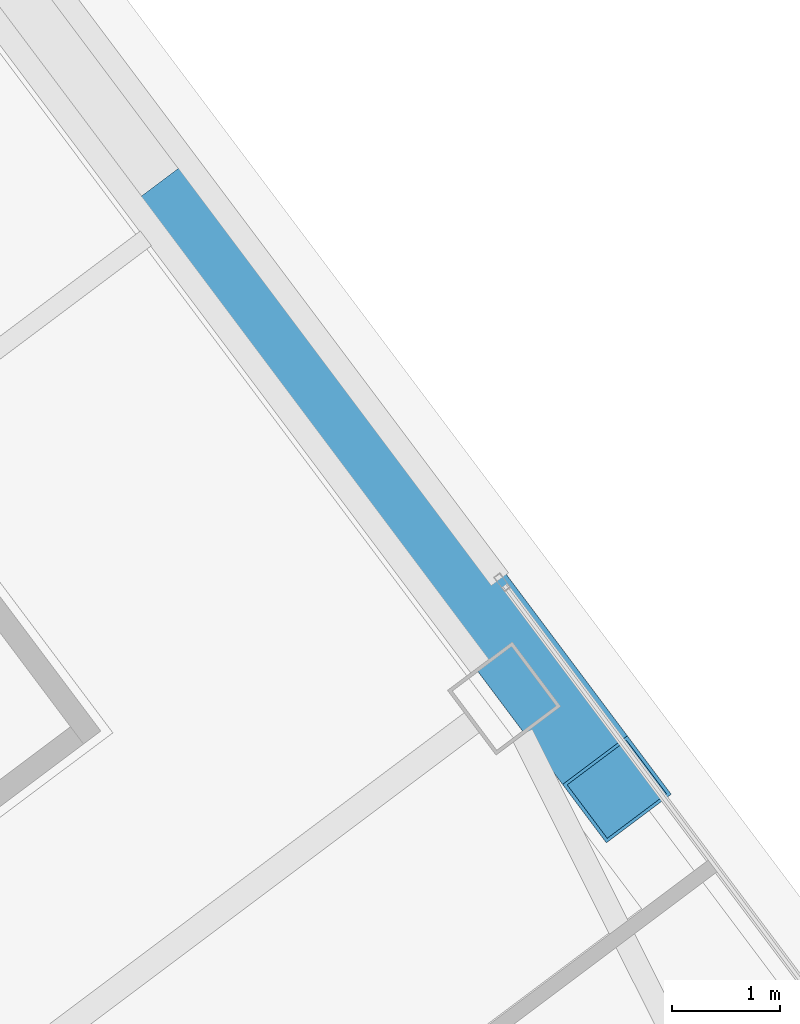
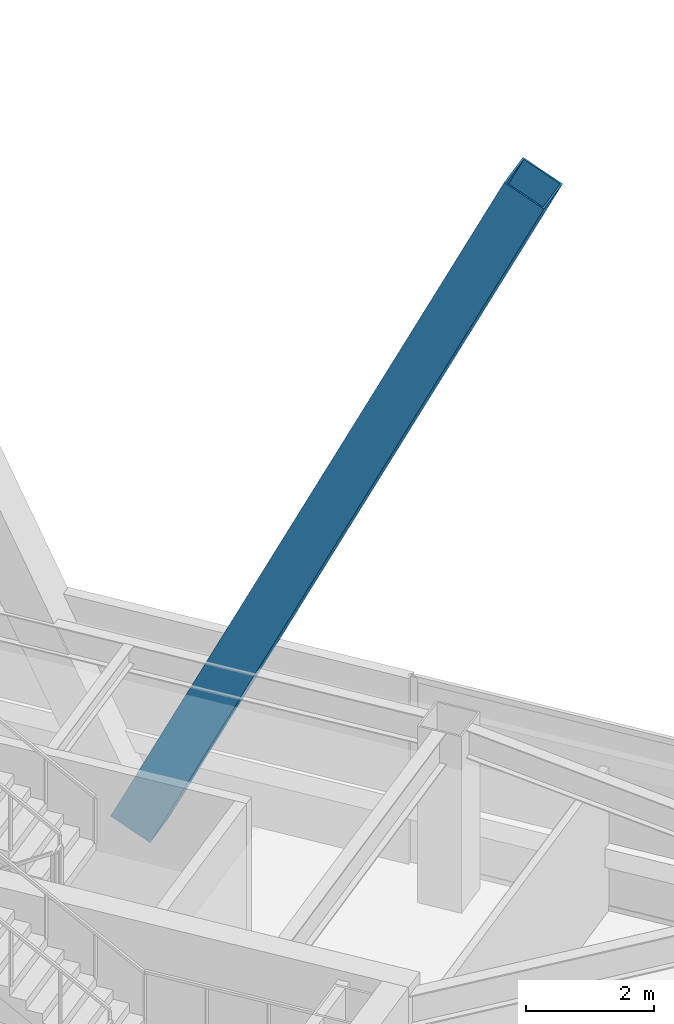
# One storey, part 29 of 47: 1 member.
"""IFC4 building model written with IfcOpenShell, lengths in metres."""

from ifc_helpers import new_model, si_unit, direction, frame, origin, origin_2d, place, context, subcontext, project, spatial, hollow_rectangle, extrude, material, material_profile, profile_set, type_object, element, save


model = new_model("IFC4")

# Units and contexts
model_context = context("Model", 3, precision=1e-05, world=origin(), true_north=direction((0.0, 1.0)))
body_context = subcontext(model_context, "Body", "Model", "MODEL_VIEW")
ifc_project = project(units=[si_unit("LENGTHUNIT", "METRE"), si_unit("AREAUNIT", "SQUARE_METRE"), si_unit("VOLUMEUNIT", "CUBIC_METRE"), si_unit("PLANEANGLEUNIT", "RADIAN"), si_unit("MASSUNIT", "GRAM", prefix="KILO")], contexts=[model_context])

# Site, building, storey
site_placement = place(None, origin())
site = spatial("IfcSite", under=ifc_project, at=site_placement, CompositionType="ELEMENT")
building_placement = place(site_placement, origin())
building = spatial("IfcBuilding", under=site, at=building_placement, Name="Tashvorn Skyway Center", CompositionType="ELEMENT")
storey_placement = place(building_placement, frame((0.0, 0.0, 204.199951171875)))
storey = spatial("IfcBuildingStorey", under=building, at=storey_placement, Name="L55", CompositionType="ELEMENT", Elevation=204.199951171875)

# Member
ifc_material = material(Name="Steel ASTM A572 Grade 50", Category="steel")
ifc_material_profile = material_profile(ifc_material, hollow_rectangle(XDim=0.75, YDim=0.75, WallThickness=0.031982421875, at=origin_2d()), Name="BOX750x750x32")
ifc_profile_set = profile_set([ifc_material_profile], Name="Steel ASTM A572 Grade 50")
member_type = type_object("IfcMemberType", Name="MEM-MB-750", PredefinedType="BRACE", material=ifc_profile_set)
member_placement = place(storey_placement, frame((126.14404296875, 41.10791015625, -0.199951171875), z_axis=(0.259767387138, -0.34634599886, 0.901424069821), x_axis=(0.799991254452, 0.600011660554, 0.0)))
element("IfcMember", 1, at=member_placement, inside=storey, type_object=member_type, Name="Tower 2 Zone 5 E Chevron Mega-Brace L1", PredefinedType="BRACE", context=body_context, shape_type="SweptSolid", body=[
    extrude(hollow_rectangle(XDim=0.75, YDim=0.75, WallThickness=0.031982421875, at=origin_2d()), origin(), (0.0, 0.0, 1.0), 15.475341796875),
])

save(model, "model.ifc")
